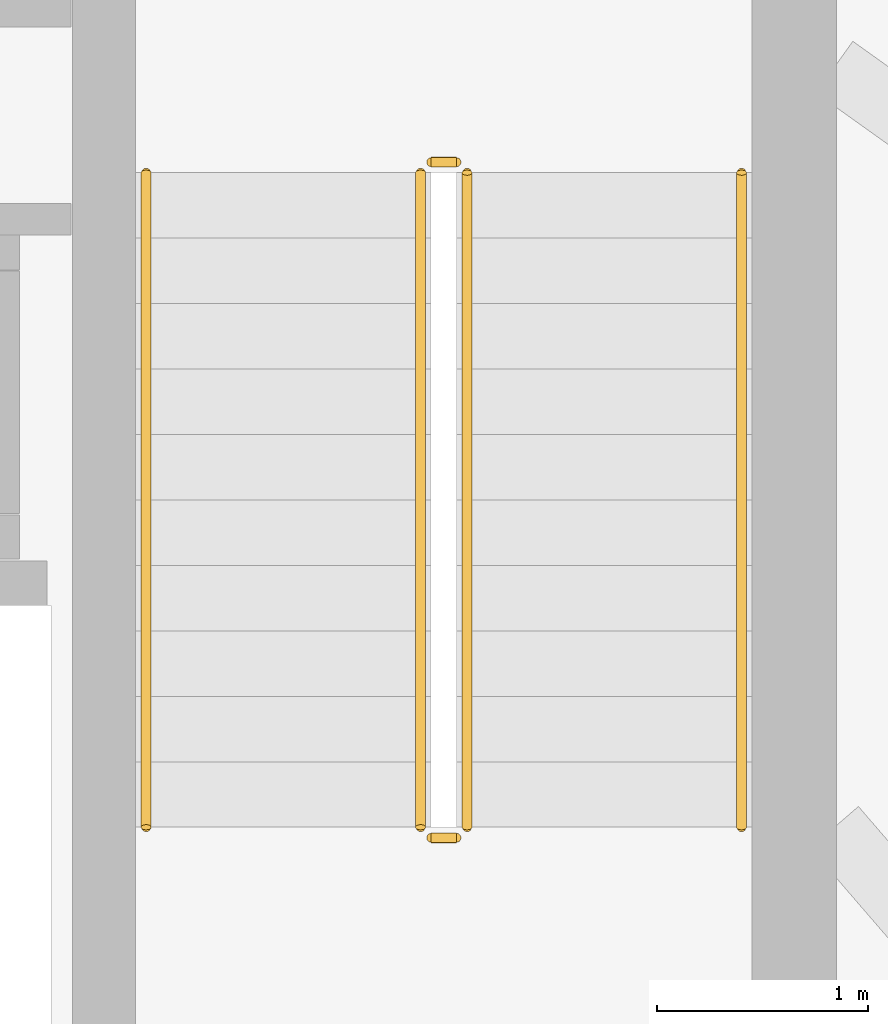
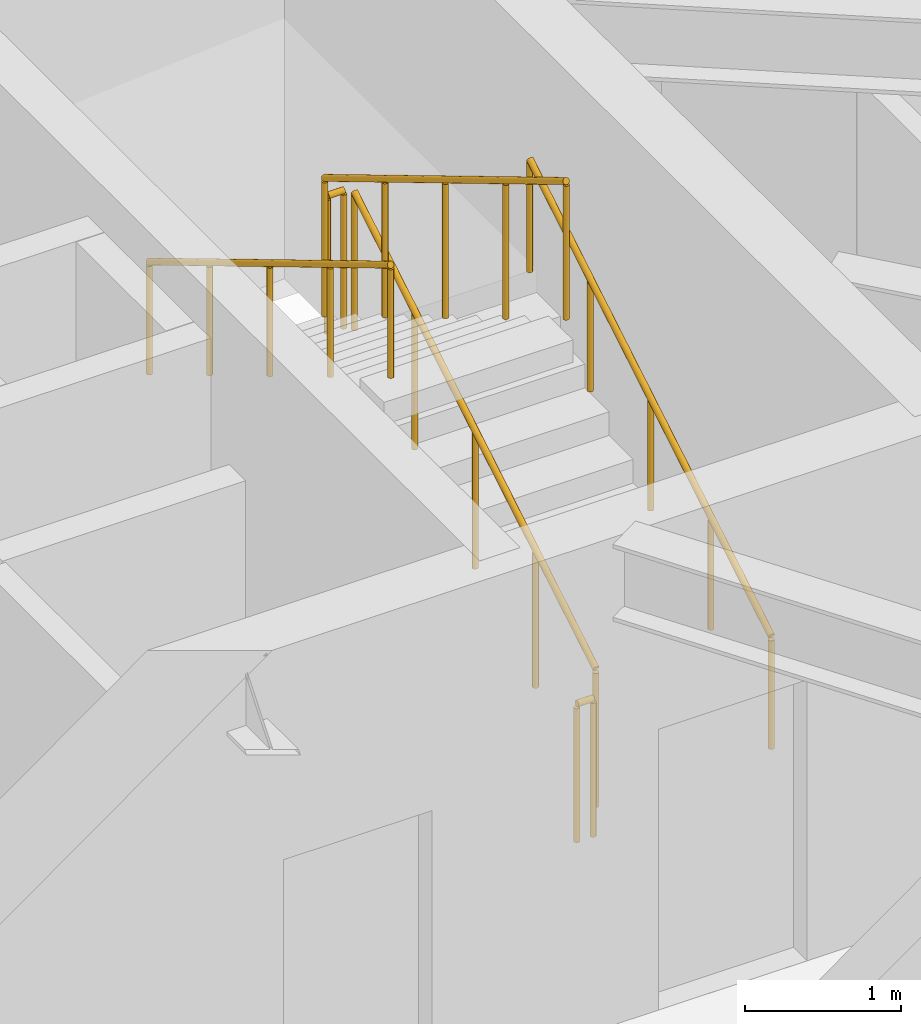
# One storey, part 24 of 24: 6 railings.
"""IFC4 building model written with IfcOpenShell, lengths in metres."""

import ifcopenshell
import ifcopenshell.guid

model = None  # the IFC model being written
_history = None  # IfcOwnerHistory: only IFC2X3 demands one
_inside = {}  # id of a spatial element -> (the spatial element, [elements in it])
_under = {}  # id of a project, library or spatial element -> (it, [spatial elements below it])
_declared = {}  # id of a project -> (the project, [libraries it declares])
_typed = {}  # id of a type object -> (the type object, [elements of that type])
_made_of = {}  # id of a material, layer set ... -> (it, [elements and type objects made of it])


def new_model(schema):
    """Start an empty IFC model of exactly this schema.

    Asked for "IFC4X3", IfcOpenShell would pick the latest addendum, in which some entities
    have other attributes; the version numbers below select the first issue.
    IFC2X3 requires an IfcOwnerHistory on every rooted entity: one is made here for all.
    """
    global model, _history
    if schema == "IFC4X3":
        model = ifcopenshell.file(schema_version=(4, 3, 0, 0))
    else:
        model = ifcopenshell.file(schema=schema)
    _inside.clear()
    _under.clear()
    _declared.clear()
    _typed.clear()
    _made_of.clear()
    _history = None
    if model.schema == "IFC2X3":
        org = make("IfcOrganization", Name="unknown")
        user = make(
            "IfcPersonAndOrganization",
            ThePerson=make("IfcPerson", FamilyName="unknown"),
            TheOrganization=org,
        )
        app = make(
            "IfcApplication",
            ApplicationDeveloper=org,
            Version="unknown",
            ApplicationFullName="unknown",
            ApplicationIdentifier="unknown",
        )
        _history = make(
            "IfcOwnerHistory",
            OwningUser=user,
            OwningApplication=app,
            ChangeAction="ADDED",
            CreationDate=0,
        )
    return model


def make(cls, **values):
    """One entity of the class cls with the attributes given. An attribute that is None is left unset."""
    return model.create_entity(
        cls, **{name: value for name, value in values.items() if value is not None}
    )


def rooted(cls, **values):
    """An entity with a GlobalId (a new one), such as an element, a storey or a relation."""
    return make(cls, GlobalId=ifcopenshell.guid.new(), OwnerHistory=_history, **values)


def si_unit(unit_type, name, prefix=None):
    """IfcSIUnit, for example si_unit("LENGTHUNIT", "METRE", prefix="MILLI")."""
    return make("IfcSIUnit", UnitType=unit_type, Prefix=prefix, Name=name)


def assignment(units):
    """IfcUnitAssignment: the units of a project."""
    return None if units is None else make("IfcUnitAssignment", Units=units)


def point(xyz):
    """IfcCartesianPoint."""
    return None if xyz is None else make("IfcCartesianPoint", Coordinates=xyz)


def direction(xyz):
    """IfcDirection."""
    return None if xyz is None else make("IfcDirection", DirectionRatios=xyz)


def frame(location, z_axis=None, x_axis=None):
    """IfcAxis2Placement3D, a coordinate frame: its origin and axes. An axis left out is left unset."""
    return make(
        "IfcAxis2Placement3D",
        Location=point(location),
        Axis=direction(z_axis),
        RefDirection=direction(x_axis),
    )


def frame_2d(location, x_axis=None):
    """IfcAxis2Placement2D, a coordinate frame in the plane: its origin and x axis."""
    return make(
        "IfcAxis2Placement2D", Location=point(location), RefDirection=direction(x_axis)
    )


def origin():
    """The frame at (0, 0, 0) with its axes left unset."""
    return frame((0.0, 0.0, 0.0))


def origin_2d():
    """The frame at (0, 0) in the plane with its x axis left unset."""
    return frame_2d((0.0, 0.0))


def place(relative_to, where):
    """IfcLocalPlacement: puts the frame where relative to a parent placement (None: the world)."""
    return make(
        "IfcLocalPlacement", PlacementRelTo=relative_to, RelativePlacement=where
    )


def context(
    kind, dimensions, precision=None, world=None, true_north=None, identifier=None
):
    """IfcGeometricRepresentationContext, for example the 3D "Model" context."""
    return make(
        "IfcGeometricRepresentationContext",
        ContextIdentifier=identifier,
        ContextType=kind,
        CoordinateSpaceDimension=dimensions,
        Precision=precision,
        WorldCoordinateSystem=world,
        TrueNorth=true_north,
    )


def subcontext(parent, identifier, kind, view, scale=None):
    """IfcGeometricRepresentationSubContext, for example "Body" below "Model"."""
    return make(
        "IfcGeometricRepresentationSubContext",
        ContextIdentifier=identifier,
        ContextType=kind,
        ParentContext=parent,
        TargetScale=scale,
        TargetView=view,
    )


def project(units=None, contexts=None):
    """IfcProject with its units and contexts."""
    return rooted(
        "IfcProject",
        Name="project",
        RepresentationContexts=contexts,
        UnitsInContext=assignment(units),
    )


def spatial(cls, under=None, at=None, **own):
    """A site, building, storey or space (cls), placed at a placement, below another one or the project."""
    s = rooted(cls, ObjectPlacement=at, **own)
    if under is not None:
        _under.setdefault(under.id(), (under, []))[1].append(s)
    return s


def profile(cls, at=None, kind="AREA", **sizes):
    """A parametric profile (cls). Its sizes go by their IFC names, for example OverallWidth=200.0."""
    return make(cls, ProfileType=kind, Position=at, **sizes)


def circle(**sizes):
    """IfcCircleProfileDef."""
    return profile("IfcCircleProfileDef", **sizes)


def extrude(swept, where, along, depth):
    """IfcExtrudedAreaSolid: the profile swept, set in the frame where, extruded along a direction by depth."""
    return make(
        "IfcExtrudedAreaSolid",
        SweptArea=swept,
        Position=where,
        ExtrudedDirection=direction(along),
        Depth=depth,
    )


def shape(context_of_items, identifier, shape_type, items):
    """IfcShapeRepresentation: the items that make up one representation, for example the "Body"."""
    return make(
        "IfcShapeRepresentation",
        ContextOfItems=context_of_items,
        RepresentationIdentifier=identifier,
        RepresentationType=shape_type,
        Items=items,
    )


def material(Name=None, Category=None):
    """IfcMaterial."""
    return make("IfcMaterial", Name=Name, Category=Category)


def made_of(thing, what):
    """Note that an element or type object is made of a material, layer set ...; save() writes the relation."""
    if what is not None:
        _made_of.setdefault(what.id(), (what, []))[1].append(thing)
    return thing


def type_object(cls, material=None, **own):
    """A type object (cls), such as IfcWallType, which elements share."""
    return made_of(rooted(cls, **own), material)


def element(
    cls,
    number,
    at=None,
    inside=None,
    cuts=None,
    type_object=None,
    material=None,
    context=None,
    identifier="Body",
    shape_type=None,
    held_by="IfcProductDefinitionShape",
    body=None,
    shapes=None,
    **own,
):
    """One element of the class cls, such as IfcWall. Its Tag is "e" and its number.

    at: its placement. inside: the storey or other place that contains it. cuts: it is an
    opening in that element (IfcRelVoidsElement). A single representation is given by context,
    identifier, shape_type and body (its items); several are given by shapes. held_by: the class
    of the entity that holds the representations. save() writes the other relations.
    """
    e = rooted(cls, Tag="e%d" % number, ObjectPlacement=at, **own)
    if body is not None:
        shapes = [shape(context, identifier, shape_type, body)]
    if shapes is not None:
        e.Representation = make(held_by, Representations=shapes)
    if inside is not None:
        _inside.setdefault(inside.id(), (inside, []))[1].append(e)
    if cuts is not None:
        rooted(
            "IfcRelVoidsElement", RelatingBuildingElement=cuts, RelatedOpeningElement=e
        )
    if type_object is not None:
        _typed.setdefault(type_object.id(), (type_object, []))[1].append(e)
    return made_of(e, material)


def aggregate(whole, parts):
    """IfcRelAggregates: a whole, such as a stair, and the parts it consists of."""
    return rooted("IfcRelAggregates", RelatingObject=whole, RelatedObjects=parts)


def save(model, path):
    """Write the relations noted so far, then the file.

    IfcRelAggregates (storeys below a building ...), IfcRelContainedInSpatialStructure (elements
    in a storey), IfcRelDefinesByType, IfcRelAssociatesMaterial and IfcRelDeclares: one each for
    every whole, place, type object, material and project.
    """
    for whole, parts in _under.values():
        aggregate(whole, parts)
    for where, things in _inside.values():
        rooted(
            "IfcRelContainedInSpatialStructure",
            RelatedElements=things,
            RelatingStructure=where,
        )
    for kind, things in _typed.values():
        rooted("IfcRelDefinesByType", RelatedObjects=things, RelatingType=kind)
    for what, things in _made_of.values():
        rooted("IfcRelAssociatesMaterial", RelatedObjects=things, RelatingMaterial=what)
    for by, libraries in _declared.values():
        rooted("IfcRelDeclares", RelatingContext=by, RelatedDefinitions=libraries)
    model.write(path)


model = new_model("IFC4")

# Units and contexts
model_context = context("Model", 3, precision=1e-05, world=origin(), true_north=direction((0.0, 1.0)))
body_context = subcontext(model_context, "Body", "Model", "MODEL_VIEW")
ifc_project = project(units=[si_unit("LENGTHUNIT", "METRE"), si_unit("AREAUNIT", "SQUARE_METRE"), si_unit("VOLUMEUNIT", "CUBIC_METRE"), si_unit("PLANEANGLEUNIT", "RADIAN"), si_unit("MASSUNIT", "GRAM", prefix="KILO")], contexts=[model_context])

# Site, building, storey
site_placement = place(None, origin())
site = spatial("IfcSite", under=ifc_project, at=site_placement, CompositionType="ELEMENT")
building_placement = place(site_placement, origin())
building = spatial("IfcBuilding", under=site, at=building_placement, Name="Zarrinselat Tower", CompositionType="ELEMENT")
storey_placement = place(building_placement, frame((0.0, 0.0, 64.260009765625)))
storey = spatial("IfcBuildingStorey", under=building, at=storey_placement, Name="L15", CompositionType="ELEMENT", Elevation=64.260009765625)

# Railings
ifc_material_1 = material(Name="Steel S355J2", Category="steel")
railing_type_1 = type_object("IfcRailingType", Name="RLG-STAIR-GUARD", PredefinedType="GUARDRAIL", material=ifc_material_1)
railing_1_placement = place(storey_placement, frame((46.7099609375, 35.0, 0.185546875)))
element("IfcRailing", 1, at=railing_1_placement, inside=storey, type_object=railing_type_1, Name="L15 ST-2 stair guard 1", PredefinedType="GUARDRAIL", context=body_context, shape_type="SweptSolid", body=[
    extrude(circle(Radius=0.02392578125, at=origin_2d()), frame((0.0, 0.0, 1.076171875), z_axis=(0.0, 0.858171985069, 0.513362293163), x_axis=(-1.0, 0.0, 0.0)), (0.0, 0.0, 1.0), 3.612548828125),
    extrude(circle(Radius=0.02099609375, at=origin_2d()), origin(), (0.0, 0.0, 1.0), 1.050048828125),
    extrude(circle(Radius=0.02099609375, at=origin_2d()), frame((0.0, 0.77490234375, 0.463623046875)), (0.0, 0.0, 1.0), 1.050048828125),
    extrude(circle(Radius=0.02099609375, at=origin_2d()), frame((0.0, 1.550048828125, 0.92724609375)), (0.0, 0.0, 1.0), 1.050048828125),
    extrude(circle(Radius=0.02099609375, at=origin_2d()), frame((0.0, 2.3251953125, 1.390869140625)), (0.0, 0.0, 1.0), 1.050048828125),
    extrude(circle(Radius=0.02099609375, at=origin_2d()), frame((0.0, 3.10009765625, 1.8544921875)), (0.0, 0.0, 1.0), 1.050048828125),
])
railing_2_placement = place(storey_placement, frame((46.659912109375, 38.14990234375, 2.0400390625)))
element("IfcRailing", 2, at=railing_2_placement, inside=storey, type_object=railing_type_1, Name="L15 ST-2 stair guard 2", PredefinedType="GUARDRAIL", context=body_context, shape_type="SweptSolid", body=[
    extrude(circle(Radius=0.02392578125, at=origin_2d()), frame((0.0, 0.0, 1.076171875), z_axis=(-1.0, 0.0, 0.0), x_axis=(0.0, -1.0, 0.0)), (0.0, 0.0, 1.0), 0.119873046875),
    extrude(circle(Radius=0.02099609375, at=origin_2d()), origin(), (0.0, 0.0, 1.0), 1.050048828125),
    extrude(circle(Radius=0.02099609375, at=origin_2d()), frame((-0.119873046875, 0.0, 0.0)), (0.0, 0.0, 1.0), 1.050048828125),
])
railing_3_placement = place(storey_placement, frame((46.489990234375, 38.10009765625, 2.225341796875)))
element("IfcRailing", 3, at=railing_3_placement, inside=storey, type_object=railing_type_1, Name="L15 ST-2 stair guard 3", PredefinedType="GUARDRAIL", context=body_context, shape_type="SweptSolid", body=[
    extrude(circle(Radius=0.02392578125, at=origin_2d()), frame((0.0, 0.0, 1.076171875), z_axis=(0.0, -0.858142210651, 0.513412062869), x_axis=(1.0, 0.0, 0.0)), (0.0, 0.0, 1.0), 3.612548828125),
    extrude(circle(Radius=0.02099609375, at=origin_2d()), origin(), (0.0, 0.0, 1.0), 1.050048828125),
    extrude(circle(Radius=0.02099609375, at=origin_2d()), frame((0.0, -0.77490234375, 0.463623046875)), (0.0, 0.0, 1.0), 1.050048828125),
    extrude(circle(Radius=0.02099609375, at=origin_2d()), frame((0.0, -1.550048828125, 0.92724609375)), (0.0, 0.0, 1.0), 1.050048828125),
    extrude(circle(Radius=0.02099609375, at=origin_2d()), frame((0.0, -2.3251953125, 1.39111328125)), (0.0, 0.0, 1.0), 1.050048828125),
    extrude(circle(Radius=0.02099609375, at=origin_2d()), frame((0.0, -3.10009765625, 1.854736328125)), (0.0, 0.0, 1.0), 1.050048828125),
])
railing_4_placement = place(storey_placement, frame((46.659912109375, 34.949951171875, 0.0)))
element("IfcRailing", 4, at=railing_4_placement, inside=storey, type_object=railing_type_1, Name="L15 ST-2 stair guard 4", PredefinedType="GUARDRAIL", context=body_context, shape_type="SweptSolid", body=[
    extrude(circle(Radius=0.02392578125, at=origin_2d()), frame((0.0, 0.0, 1.076171875), z_axis=(-1.0, 0.0, 0.0), x_axis=(0.0, -1.0, 0.0)), (0.0, 0.0, 1.0), 0.119873046875),
    extrude(circle(Radius=0.02099609375, at=origin_2d()), origin(), (0.0, 0.0, 1.0), 1.050048828125),
    extrude(circle(Radius=0.02099609375, at=origin_2d()), frame((-0.119873046875, 0.0, 0.0)), (0.0, 0.0, 1.0), 1.050048828125),
])
ifc_material_2 = material(Name="Steel S355J2", Category="steel")
railing_type_2 = type_object("IfcRailingType", Name="RLG-STAIR-HAND", PredefinedType="HANDRAIL", material=ifc_material_2)
railing_5_placement = place(storey_placement, frame((48.010009765625, 35.0, 0.185546875)))
element("IfcRailing", 5, at=railing_5_placement, inside=storey, type_object=railing_type_2, Name="L15 ST-2 stair handrail 1", PredefinedType="HANDRAIL", context=body_context, shape_type="SweptSolid", body=[
    extrude(circle(Radius=0.02392578125, at=origin_2d()), frame((0.0, 0.0, 0.8759765625), z_axis=(0.0, 0.858171985069, 0.513362293163), x_axis=(-1.0, 0.0, 0.0)), (0.0, 0.0, 1.0), 3.612548828125),
    extrude(circle(Radius=0.02099609375, at=origin_2d()), origin(), (0.0, 0.0, 1.0), 0.849853515625),
    extrude(circle(Radius=0.02099609375, at=origin_2d()), frame((0.0, 0.77490234375, 0.463623046875)), (0.0, 0.0, 1.0), 0.849853515625),
    extrude(circle(Radius=0.02099609375, at=origin_2d()), frame((0.0, 1.550048828125, 0.92724609375)), (0.0, 0.0, 1.0), 0.849853515625),
    extrude(circle(Radius=0.02099609375, at=origin_2d()), frame((0.0, 2.3251953125, 1.390869140625)), (0.0, 0.0, 1.0), 0.849853515625),
    extrude(circle(Radius=0.02099609375, at=origin_2d()), frame((0.0, 3.10009765625, 1.8544921875)), (0.0, 0.0, 1.0), 0.849853515625),
])
railing_6_placement = place(storey_placement, frame((45.18994140625, 38.10009765625, 2.225341796875)))
element("IfcRailing", 6, at=railing_6_placement, inside=storey, type_object=railing_type_2, Name="L15 ST-2 stair handrail 2", PredefinedType="HANDRAIL", context=body_context, shape_type="SweptSolid", body=[
    extrude(circle(Radius=0.02392578125, at=origin_2d()), frame((0.0, 0.0, 0.8759765625), z_axis=(0.0, -0.858142210651, 0.513412062869), x_axis=(1.0, 0.0, 0.0)), (0.0, 0.0, 1.0), 3.612548828125),
    extrude(circle(Radius=0.02099609375, at=origin_2d()), origin(), (0.0, 0.0, 1.0), 0.849853515625),
    extrude(circle(Radius=0.02099609375, at=origin_2d()), frame((0.0, -0.77490234375, 0.463623046875)), (0.0, 0.0, 1.0), 0.849853515625),
    extrude(circle(Radius=0.02099609375, at=origin_2d()), frame((0.0, -1.550048828125, 0.92724609375)), (0.0, 0.0, 1.0), 0.849853515625),
    extrude(circle(Radius=0.02099609375, at=origin_2d()), frame((0.0, -2.3251953125, 1.39111328125)), (0.0, 0.0, 1.0), 0.849853515625),
    extrude(circle(Radius=0.02099609375, at=origin_2d()), frame((0.0, -3.10009765625, 1.854736328125)), (0.0, 0.0, 1.0), 0.849853515625),
])

save(model, "model.ifc")
